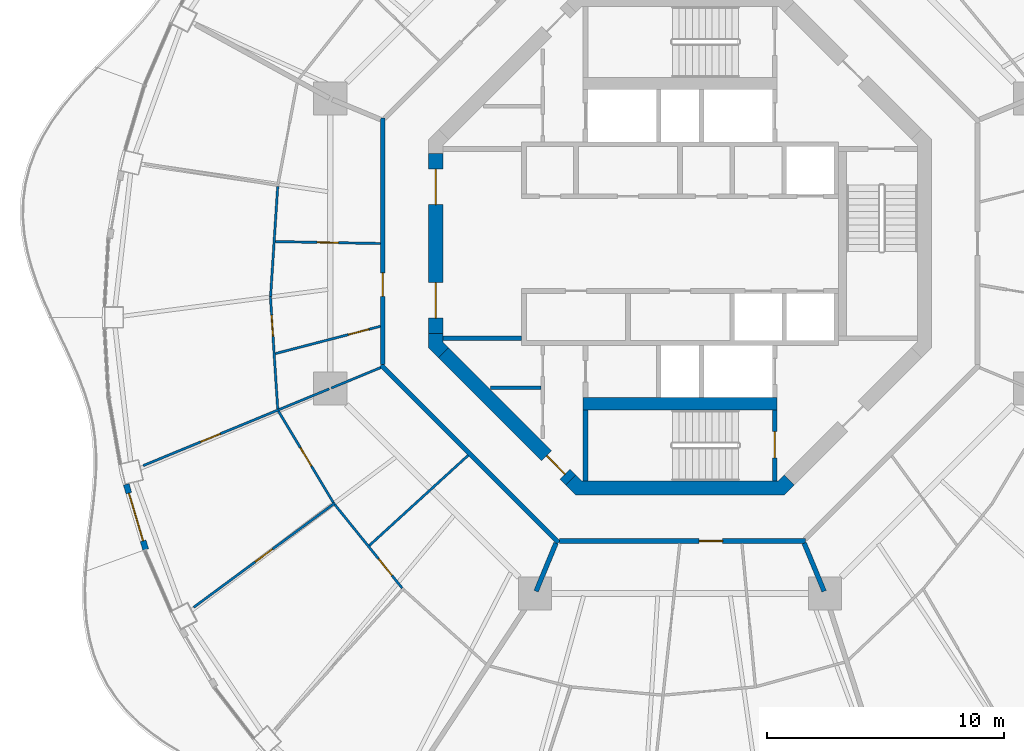
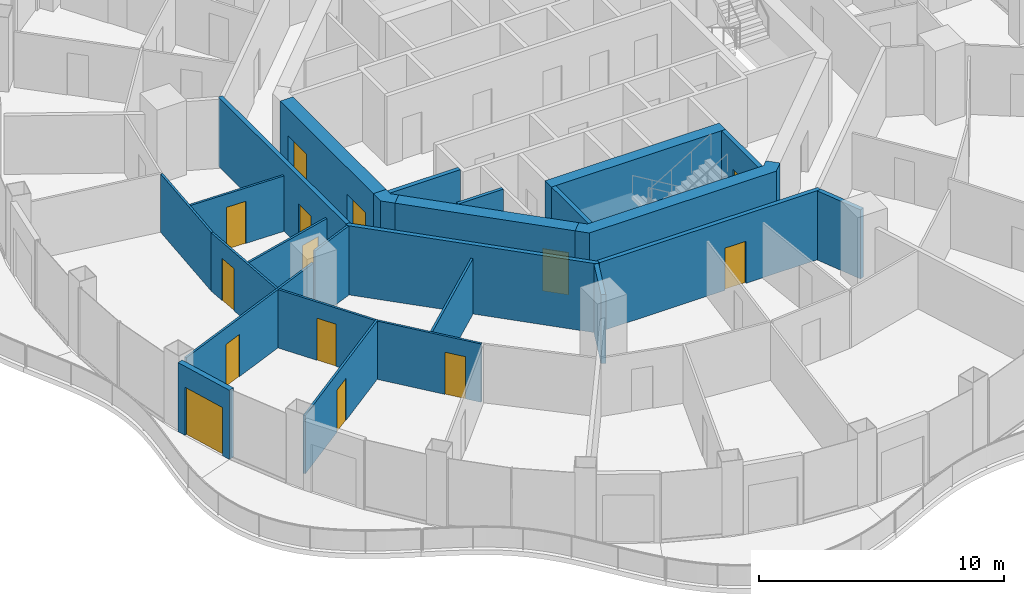
# One storey, part 10 of 17: 25 walls, 14 doors, 14 openings.
"""IFC4 building model written with IfcOpenShell, lengths in metres."""

from ifc_helpers import new_model, si_unit, direction, frame, frame_2d, origin, place, context, subcontext, project, spatial, polyline, rectangle, outline, extrude, material, layer, layer_set, type_object, element, fill, save


model = new_model("IFC4")

# Units and contexts
model_context = context("Model", 3, precision=1e-05, world=origin(), true_north=direction((0.0, 1.0)))
body_context = subcontext(model_context, "Body", "Model", "MODEL_VIEW")
ifc_project = project(units=[si_unit("LENGTHUNIT", "METRE"), si_unit("AREAUNIT", "SQUARE_METRE"), si_unit("VOLUMEUNIT", "CUBIC_METRE"), si_unit("PLANEANGLEUNIT", "RADIAN"), si_unit("MASSUNIT", "GRAM", prefix="KILO")], contexts=[model_context])

# Site, building, storey
site_placement = place(None, origin())
site = spatial("IfcSite", under=ifc_project, at=site_placement, CompositionType="ELEMENT")
building_placement = place(site_placement, origin())
building = spatial("IfcBuilding", under=site, at=building_placement, Name="Nagisa Residences", CompositionType="ELEMENT")
storey_placement = place(building_placement, frame((0.0, 0.0, 269.60009765625)))
storey = spatial("IfcBuildingStorey", under=building, at=storey_placement, Name="L68", CompositionType="ELEMENT", Elevation=269.60009765625)

# Walls
ifc_material_1 = material(Name="Gypsum board on steel studs", Category="steel")
ifc_layer_1 = layer(ifc_material_1, 0.199951171875)
ifc_layer_set_1 = layer_set([ifc_layer_1], Name="Apartment compartment wall EI60 200")
wall_type_1 = type_object("IfcWallType", Name="Apartment compartment wall EI60 200", PredefinedType="PARTITIONING", material=ifc_layer_set_1)
wall_1_placement = place(storey_placement, frame((-5.24267578125, -12.6572265625, 0.0), z_axis=(0.0, 0.0, 1.0), x_axis=(-0.382770106157, -0.923843626288, 0.0)))
element("IfcWall", 1, at=wall_1_placement, inside=storey, type_object=wall_type_1, Name="wall:L68:u06", PredefinedType="PARTITIONING", context=body_context, shape_type="SweptSolid", body=[
    extrude(rectangle(XDim=2.19921875, YDim=0.199951171875, at=frame_2d((1.099609375, 0.0))), origin(), (0.0, 0.0, 1.0), 3.43994140625),
])
wall_2_placement = place(storey_placement, frame((5.24267578125, -12.6572265625, 0.0), z_axis=(0.0, 0.0, 1.0), x_axis=(0.382707856524, -0.923869415315, 0.0)))
element("IfcWall", 2, at=wall_2_placement, inside=storey, type_object=wall_type_1, Name="wall:L68:u08", PredefinedType="PARTITIONING", context=body_context, shape_type="SweptSolid", body=[
    extrude(rectangle(XDim=2.2001953125, YDim=0.199951171875, at=frame_2d((1.10009765625, 0.0))), origin(), (0.0, 0.0, 1.0), 3.43994140625),
])

# Wall, opening, door
ifc_material_2 = material(Name="Gypsum board on steel studs", Category="steel")
ifc_layer_2 = layer(ifc_material_2, 0.199951171875)
ifc_layer_set_2 = layer_set([ifc_layer_2], Name="Apartment entry wall EI60 200")
wall_type_2 = type_object("IfcWallType", Name="Apartment entry wall EI60 200", PredefinedType="PARTITIONING", material=ifc_layer_set_2)
wall_3_placement = place(storey_placement, frame((-12.564697265625, 5.304443359375, 0.0), z_axis=(0.0, 0.0, 1.0), x_axis=(0.0, -1.0, 0.0)))
wall_3 = element("IfcWall", 3, at=wall_3_placement, inside=storey, type_object=wall_type_2, Name="wall:L68:u14", PredefinedType="PARTITIONING", context=body_context, shape_type="SweptSolid", body=[
    extrude(rectangle(XDim=10.408935546875, YDim=0.199951171875, at=frame_2d((5.20458984375, 0.0))), origin(), (0.0, 0.0, 1.0), 3.43994140625),
])
opening_1_placement = place(wall_3_placement, frame((6.539306640625, 0.0, 0.0)))
opening_1 = element("IfcOpeningElement", 4, at=opening_1_placement, cuts=wall_3, Name="Opening L68-U15", PredefinedType="OPENING", context=body_context, shape_type="SweptSolid", body=[
    extrude(rectangle(XDim=1.0, YDim=2.10009765625, at=frame_2d((0.5, 1.050048828125))), frame((0.0, 0.10986328125, 0.0), z_axis=(0.0, -1.0, 0.0), x_axis=(1.0, 0.0, 0.0)), (0.0, 0.0, 1.0), 0.219970703125),
])
ifc_material_3 = material(Name="Timber fire door set", Category="wood")
door_type_1 = type_object("IfcDoorType", Name="Apartment entry door FD30S 1000x2100", OperationType="NOTDEFINED", PredefinedType="DOOR", material=ifc_material_3)
door_1_placement = place(opening_1_placement, frame((1.0, 0.0, 0.0), x_axis=(-1.0, 0.0, 0.0)))
door_1 = element("IfcDoor", 5, at=door_1_placement, inside=storey, type_object=door_type_1, Name="Entry door, Apartment 68C", OperationType="SINGLE_SWING_RIGHT", OverallHeight=2.10009765625, OverallWidth=1.0, PredefinedType="DOOR", context=body_context, shape_type="SweptSolid", body=[
    extrude(rectangle(XDim=1.0, YDim=2.10009765625, at=frame_2d((0.5, 1.050048828125))), frame((0.0, 0.02490234375, 0.0), z_axis=(0.0, -1.0, 0.0), x_axis=(1.0, 0.0, 0.0)), (0.0, 0.0, 1.0), 0.050048828125),
])
fill(opening_1, door_1)

# Wall
wall_4_placement = place(storey_placement, frame((-12.635498046875, -5.1337890625, 0.0), z_axis=(0.0, 0.0, 1.0), x_axis=(0.707106781187, -0.707106781187, 0.0)))
element("IfcWall", 6, at=wall_4_placement, inside=storey, type_object=wall_type_2, Name="wall:L68:u15", PredefinedType="PARTITIONING", context=body_context, shape_type="SweptSolid", body=[
    extrude(rectangle(XDim=10.609130859375, YDim=0.199951171875, at=frame_2d((5.3046875, 0.0))), origin(), (0.0, 0.0, 1.0), 3.43994140625),
])

# Wall, opening, door
wall_5_placement = place(storey_placement, frame((-5.1044921875, -12.564697265625, 0.0), z_axis=(0.0, 0.0, 1.0), x_axis=(1.0, 0.0, 0.0)))
wall_5 = element("IfcWall", 7, at=wall_5_placement, inside=storey, type_object=wall_type_2, Name="wall:L68:u16", PredefinedType="PARTITIONING", context=body_context, shape_type="SweptSolid", body=[
    extrude(rectangle(XDim=10.408935546875, YDim=0.199951171875, at=frame_2d((5.20458984375, 0.0))), origin(), (0.0, 0.0, 1.0), 3.43994140625),
])
opening_2_placement = place(wall_5_placement, frame((5.905517578125, 0.0, 0.0)))
opening_2 = element("IfcOpeningElement", 8, at=opening_2_placement, cuts=wall_5, Name="Opening L68-U25", PredefinedType="OPENING", context=body_context, shape_type="SweptSolid", body=[
    extrude(rectangle(XDim=1.0, YDim=2.10009765625, at=frame_2d((0.5, 1.050048828125))), frame((0.0, 0.10986328125, 0.0), z_axis=(0.0, -1.0, 0.0), x_axis=(1.0, 0.0, 0.0)), (0.0, 0.0, 1.0), 0.219970703125),
])
door_2_placement = place(opening_2_placement, frame((1.0, 0.0, 0.0), x_axis=(-1.0, 0.0, 0.0)))
door_2 = element("IfcDoor", 9, at=door_2_placement, inside=storey, type_object=door_type_1, Name="Entry door, Apartment 68D", OperationType="SINGLE_SWING_RIGHT", OverallHeight=2.10009765625, OverallWidth=1.0, PredefinedType="DOOR", context=body_context, shape_type="SweptSolid", body=[
    extrude(rectangle(XDim=1.0, YDim=2.10009765625, at=frame_2d((0.5, 1.050048828125))), frame((0.0, 0.02490234375, 0.0), z_axis=(0.0, -1.0, 0.0), x_axis=(1.0, 0.0, 0.0)), (0.0, 0.0, 1.0), 0.050048828125),
])
fill(opening_2, door_2)

# Wall
ifc_material_4 = material(Name="Gypsum board on steel studs", Category="steel")
ifc_layer_3 = layer(ifc_material_4, 0.10009765625)
ifc_layer_set_3 = layer_set([ifc_layer_3], Name="Apartment partition 100")
wall_type_3 = type_object("IfcWallType", Name="Apartment partition 100", PredefinedType="PARTITIONING", material=ifc_layer_set_3)
wall_6_placement = place(storey_placement, frame((-17.001708984375, 2.40869140625, 0.0), z_axis=(0.0, 0.0, 1.0), x_axis=(-0.064855550758, -0.997894662545, 0.0)))
element("IfcWall", 10, at=wall_6_placement, inside=storey, type_object=wall_type_3, Name="wall:L68:u41", PredefinedType="PARTITIONING", context=body_context, shape_type="SweptSolid", body=[
    extrude(rectangle(XDim=4.656494140625, YDim=0.10009765625, at=frame_2d((2.328125, 0.0))), origin(), (0.0, 0.0, 1.0), 2.90478515625),
])

# Wall, opening, door
wall_7_placement = place(storey_placement, frame((-12.664794921875, 0.001953125, 0.0), z_axis=(0.0, 0.0, 1.0), x_axis=(-0.999827178165, 0.018590691287, 0.0)))
wall_7 = element("IfcWall", 11, at=wall_7_placement, inside=storey, type_object=wall_type_3, Name="wall:L68:u42", PredefinedType="PARTITIONING", context=body_context, shape_type="SweptSolid", body=[
    extrude(rectangle(XDim=4.438720703125, YDim=0.10009765625, at=frame_2d((2.21923828125, 0.0))), origin(), (0.0, 0.0, 1.0), 2.761962890625),
])
opening_3_placement = place(wall_7_placement, frame((1.769287109375, 0.0, 0.0)))
opening_3 = element("IfcOpeningElement", 12, at=opening_3_placement, cuts=wall_7, Name="Opening L68-U16", PredefinedType="OPENING", context=body_context, shape_type="SweptSolid", body=[
    extrude(rectangle(XDim=0.89990234375, YDim=2.10009765625, at=frame_2d((0.449951171875, 1.050048828125))), frame((0.0, 0.06005859375, 0.0), z_axis=(0.0, -1.0, 0.0), x_axis=(1.0, 0.0, 0.0)), (0.0, 0.0, 1.0), 0.1201171875),
])
ifc_material_5 = material(Name="Timber door set", Category="wood")
door_type_2 = type_object("IfcDoorType", Name="Apartment door 900x2100", OperationType="NOTDEFINED", PredefinedType="DOOR", material=ifc_material_5)
door_3_placement = place(opening_3_placement, frame((0.89990234375, 0.0, 0.0), x_axis=(-1.0, 0.0, 0.0)))
door_3 = element("IfcDoor", 13, at=door_3_placement, inside=storey, type_object=door_type_2, Name="Door to store, Apartment 68C", OperationType="SINGLE_SWING_LEFT", OverallHeight=2.10009765625, OverallWidth=0.89990234375, PredefinedType="DOOR", context=body_context, shape_type="SweptSolid", body=[
    extrude(rectangle(XDim=0.89990234375, YDim=2.10009765625, at=frame_2d((0.449951171875, 1.050048828125))), frame((0.0, 0.02490234375, 0.0), z_axis=(0.0, -1.0, 0.0), x_axis=(1.0, 0.0, 0.0)), (0.0, 0.0, 1.0), 0.050048828125),
])
fill(opening_3, door_3)

wall_8_placement = place(storey_placement, frame((-17.31005859375, -2.238037109375, 0.0), z_axis=(0.0, 0.0, 1.0), x_axis=(0.064949202176, -0.997888571503, 0.0)))
wall_8 = element("IfcWall", 14, at=wall_8_placement, inside=storey, type_object=wall_type_3, Name="wall:L68:u43", PredefinedType="PARTITIONING", context=body_context, shape_type="SweptSolid", body=[
    extrude(rectangle(XDim=4.7587890625, YDim=0.10009765625, at=frame_2d((2.37939453125, 0.0))), origin(), (0.0, 0.0, 1.0), 2.90478515625),
])
opening_4_placement = place(wall_8_placement, frame((0.789794921875, 0.0, 0.0)))
opening_4 = element("IfcOpeningElement", 15, at=opening_4_placement, cuts=wall_8, Name="Opening L68-U19", PredefinedType="OPENING", context=body_context, shape_type="SweptSolid", body=[
    extrude(rectangle(XDim=0.89990234375, YDim=2.10009765625, at=frame_2d((0.449951171875, 1.050048828125))), frame((0.0, 0.06005859375, 0.0), z_axis=(0.0, -1.0, 0.0), x_axis=(1.0, 0.0, 0.0)), (0.0, 0.0, 1.0), 0.1201171875),
])
door_4_placement = place(opening_4_placement, frame((0.89990234375, 0.0, 0.0), x_axis=(-1.0, 0.0, 0.0)))
door_4 = element("IfcDoor", 16, at=door_4_placement, inside=storey, type_object=door_type_2, Name="Door to living room, Apartment 68C", OperationType="SINGLE_SWING_RIGHT", OverallHeight=2.10009765625, OverallWidth=0.89990234375, PredefinedType="DOOR", context=body_context, shape_type="SweptSolid", body=[
    extrude(rectangle(XDim=0.89990234375, YDim=2.10009765625, at=frame_2d((0.449951171875, 1.050048828125))), frame((0.0, 0.02490234375, 0.0), z_axis=(0.0, -1.0, 0.0), x_axis=(1.0, 0.0, 0.0)), (0.0, 0.0, 1.0), 0.050048828125),
])
fill(opening_4, door_4)

wall_9_placement = place(storey_placement, frame((-12.66162109375, -3.494873046875, 0.0), z_axis=(0.0, 0.0, 1.0), x_axis=(-0.967834941053, -0.251586022817, 0.0)))
wall_9 = element("IfcWall", 17, at=wall_9_placement, inside=storey, type_object=wall_type_3, Name="wall:L68:u44", PredefinedType="PARTITIONING", context=body_context, shape_type="SweptSolid", body=[
    extrude(rectangle(XDim=4.590087890625, YDim=0.10009765625, at=frame_2d((2.294921875, 0.0))), origin(), (0.0, 0.0, 1.0), 2.761962890625),
])
opening_5_placement = place(wall_9_placement, frame((0.49951171875, 0.0, 0.0)))
opening_5 = element("IfcOpeningElement", 18, at=opening_5_placement, cuts=wall_9, Name="Opening L68-U17", PredefinedType="OPENING", context=body_context, shape_type="SweptSolid", body=[
    extrude(rectangle(XDim=0.89990234375, YDim=2.10009765625, at=frame_2d((0.449951171875, 1.050048828125))), frame((0.0, 0.06005859375, 0.0), z_axis=(0.0, -1.0, 0.0), x_axis=(1.0, 0.0, 0.0)), (0.0, 0.0, 1.0), 0.1201171875),
])
door_5_placement = place(opening_5_placement, origin())
door_5 = element("IfcDoor", 19, at=door_5_placement, inside=storey, type_object=door_type_2, Name="Door to family bathroom, Apartment 68C", OperationType="SINGLE_SWING_LEFT", OverallHeight=2.10009765625, OverallWidth=0.89990234375, PredefinedType="DOOR", context=body_context, shape_type="SweptSolid", body=[
    extrude(rectangle(XDim=0.89990234375, YDim=2.10009765625, at=frame_2d((0.449951171875, 1.050048828125))), frame((0.0, 0.02490234375, 0.0), z_axis=(0.0, -1.0, 0.0), x_axis=(1.0, 0.0, 0.0)), (0.0, 0.0, 1.0), 0.050048828125),
])
fill(opening_5, door_5)

# Wall
wall_10_placement = place(storey_placement, frame((-12.6572265625, -5.24267578125, 0.0), z_axis=(0.0, 0.0, 1.0), x_axis=(-0.923871314276, -0.382703272338, 0.0)))
element("IfcWall", 20, at=wall_10_placement, inside=storey, type_object=wall_type_3, Name="wall:L68:u45", PredefinedType="PARTITIONING", context=body_context, shape_type="SweptSolid", body=[
    extrude(rectangle(XDim=2.249267578125, YDim=0.10009765625, at=frame_2d((1.12451171875, 0.0))), origin(), (0.0, 0.0, 1.0), 3.43994140625),
])

# Wall, opening, door
wall_11_placement = place(storey_placement, frame((-14.828369140625, -6.14208984375, 0.0), z_axis=(0.0, 0.0, 1.0), x_axis=(-0.924478087429, -0.381235184451, 0.0)))
wall_11 = element("IfcWall", 21, at=wall_11_placement, inside=storey, type_object=wall_type_3, Name="wall:L68:u46", PredefinedType="PARTITIONING", context=body_context, shape_type="SweptSolid", body=[
    extrude(rectangle(XDim=8.499267578125, YDim=0.10009765625, at=frame_2d((4.24951171875, 0.0))), origin(), (0.0, 0.0, 1.0), 2.90478515625),
])
opening_6_placement = place(wall_11_placement, frame((4.97314453125, 0.0, 0.0)))
opening_6 = element("IfcOpeningElement", 22, at=opening_6_placement, cuts=wall_11, Name="Opening L68-U20", PredefinedType="OPENING", context=body_context, shape_type="SweptSolid", body=[
    extrude(rectangle(XDim=0.89990234375, YDim=2.10009765625, at=frame_2d((0.449951171875, 1.050048828125))), frame((0.0, 0.06005859375, 0.0), z_axis=(0.0, -1.0, 0.0), x_axis=(1.0, 0.0, 0.0)), (0.0, 0.0, 1.0), 0.1201171875),
])
door_6_placement = place(opening_6_placement, origin())
door_6 = element("IfcDoor", 23, at=door_6_placement, inside=storey, type_object=door_type_2, Name="Door to kitchen, Apartment 68C", OperationType="SINGLE_SWING_RIGHT", OverallHeight=2.10009765625, OverallWidth=0.89990234375, PredefinedType="DOOR", context=body_context, shape_type="SweptSolid", body=[
    extrude(rectangle(XDim=0.89990234375, YDim=2.10009765625, at=frame_2d((0.449951171875, 1.050048828125))), frame((0.0, 0.02490234375, 0.0), z_axis=(0.0, -1.0, 0.0), x_axis=(1.0, 0.0, 0.0)), (0.0, 0.0, 1.0), 0.050048828125),
])
fill(opening_6, door_6)

wall_12_placement = place(storey_placement, frame((-16.971923828125, -7.07958984375, 0.0), z_axis=(0.0, 0.0, 1.0), x_axis=(0.514989049311, -0.857196756346, 0.0)))
wall_12 = element("IfcWall", 24, at=wall_12_placement, inside=storey, type_object=wall_type_3, Name="wall:L68:u47", PredefinedType="PARTITIONING", context=body_context, shape_type="SweptSolid", body=[
    extrude(rectangle(XDim=4.51171875, YDim=0.10009765625, at=frame_2d((2.255859375, 0.0))), origin(), (0.0, 0.0, 1.0), 2.90478515625),
])
opening_7_placement = place(wall_12_placement, frame((1.805908203125, 0.0, 0.0)))
opening_7 = element("IfcOpeningElement", 25, at=opening_7_placement, cuts=wall_12, Name="Opening L68-U23", PredefinedType="OPENING", context=body_context, shape_type="SweptSolid", body=[
    extrude(rectangle(XDim=0.89990234375, YDim=2.10009765625, at=frame_2d((0.449951171875, 1.050048828125))), frame((0.0, 0.06005859375, 0.0), z_axis=(0.0, -1.0, 0.0), x_axis=(1.0, 0.0, 0.0)), (0.0, 0.0, 1.0), 0.1201171875),
])
door_7_placement = place(opening_7_placement, origin())
door_7 = element("IfcDoor", 26, at=door_7_placement, inside=storey, type_object=door_type_2, Name="Door to store, Apartment 68C", OperationType="SINGLE_SWING_LEFT", OverallHeight=2.10009765625, OverallWidth=0.89990234375, PredefinedType="DOOR", context=body_context, shape_type="SweptSolid", body=[
    extrude(rectangle(XDim=0.89990234375, YDim=2.10009765625, at=frame_2d((0.449951171875, 1.050048828125))), frame((0.0, 0.02490234375, 0.0), z_axis=(0.0, -1.0, 0.0), x_axis=(1.0, 0.0, 0.0)), (0.0, 0.0, 1.0), 0.050048828125),
])
fill(opening_7, door_7)

wall_13_placement = place(storey_placement, frame((-14.582275390625, -10.960205078125, 0.0), z_axis=(0.0, 0.0, 1.0), x_axis=(-0.804405200554, -0.594081032623, 0.0)))
wall_13 = element("IfcWall", 27, at=wall_13_placement, inside=storey, type_object=wall_type_3, Name="wall:L68:u48", PredefinedType="PARTITIONING", context=body_context, shape_type="SweptSolid", body=[
    extrude(rectangle(XDim=7.41845703125, YDim=0.10009765625, at=frame_2d((3.709228515625, 0.0))), origin(), (0.0, 0.0, 1.0), 2.90478515625),
])
opening_8_placement = place(wall_13_placement, frame((3.2841796875, 0.0, 0.0)))
opening_8 = element("IfcOpeningElement", 28, at=opening_8_placement, cuts=wall_13, Name="Opening L68-U21", PredefinedType="OPENING", context=body_context, shape_type="SweptSolid", body=[
    extrude(rectangle(XDim=0.89990234375, YDim=2.10009765625, at=frame_2d((0.449951171875, 1.050048828125))), frame((0.0, 0.06005859375, 0.0), z_axis=(0.0, -1.0, 0.0), x_axis=(1.0, 0.0, 0.0)), (0.0, 0.0, 1.0), 0.1201171875),
])
door_8_placement = place(opening_8_placement, origin())
door_8 = element("IfcDoor", 29, at=door_8_placement, inside=storey, type_object=door_type_2, Name="Door to family room, Apartment 68C", OperationType="SINGLE_SWING_LEFT", OverallHeight=2.10009765625, OverallWidth=0.89990234375, PredefinedType="DOOR", context=body_context, shape_type="SweptSolid", body=[
    extrude(rectangle(XDim=0.89990234375, YDim=2.10009765625, at=frame_2d((0.449951171875, 1.050048828125))), frame((0.0, 0.02490234375, 0.0), z_axis=(0.0, -1.0, 0.0), x_axis=(1.0, 0.0, 0.0)), (0.0, 0.0, 1.0), 0.050048828125),
])
fill(opening_8, door_8)

wall_14_placement = place(storey_placement, frame((-14.59130859375, -11.02880859375, 0.0), z_axis=(0.0, 0.0, 1.0), x_axis=(0.628170338674, -0.778075848237, 0.0)))
wall_14 = element("IfcWall", 30, at=wall_14_placement, inside=storey, type_object=wall_type_3, Name="wall:L68:u49", PredefinedType="PARTITIONING", context=body_context, shape_type="SweptSolid", body=[
    extrude(rectangle(XDim=4.532470703125, YDim=0.10009765625, at=frame_2d((2.26611328125, 0.0))), origin(), (0.0, 0.0, 1.0), 2.90478515625),
])
opening_9_placement = place(wall_14_placement, frame((2.94921875, 0.0, 0.0)))
opening_9 = element("IfcOpeningElement", 31, at=opening_9_placement, cuts=wall_14, Name="Opening L68-U24", PredefinedType="OPENING", context=body_context, shape_type="SweptSolid", body=[
    extrude(rectangle(XDim=0.89990234375, YDim=2.10009765625, at=frame_2d((0.449951171875, 1.050048828125))), frame((0.0, 0.06005859375, 0.0), z_axis=(0.0, -1.0, 0.0), x_axis=(1.0, 0.0, 0.0)), (0.0, 0.0, 1.0), 0.1201171875),
])
door_9_placement = place(opening_9_placement, origin())
door_9 = element("IfcDoor", 32, at=door_9_placement, inside=storey, type_object=door_type_2, Name="Door to laundry, Apartment 68C", OperationType="SINGLE_SWING_RIGHT", OverallHeight=2.10009765625, OverallWidth=0.89990234375, PredefinedType="DOOR", context=body_context, shape_type="SweptSolid", body=[
    extrude(rectangle(XDim=0.89990234375, YDim=2.10009765625, at=frame_2d((0.449951171875, 1.050048828125))), frame((0.0, 0.02490234375, 0.0), z_axis=(0.0, -1.0, 0.0), x_axis=(1.0, 0.0, 0.0)), (0.0, 0.0, 1.0), 0.050048828125),
])
fill(opening_9, door_9)

# Wall
wall_15_placement = place(storey_placement, frame((-8.95849609375, -8.9521484375, 0.0), z_axis=(0.0, 0.0, 1.0), x_axis=(-0.73876526954, -0.673962815385, 0.0)))
element("IfcWall", 33, at=wall_15_placement, inside=storey, type_object=wall_type_3, Name="wall:L68:u50", PredefinedType="PARTITIONING", context=body_context, shape_type="SweptSolid", body=[
    extrude(rectangle(XDim=5.6474609375, YDim=0.10009765625, at=frame_2d((2.82373046875, 0.0))), origin(), (0.0, 0.0, 1.0), 2.761962890625),
])

# Wall, opening, door
ifc_material_6 = material(Name="Precast concrete C40/50", Category="concrete")
ifc_layer_4 = layer(ifc_material_6, 0.25)
ifc_layer_set_4 = layer_set([ifc_layer_4], Name="BALCONY DOOR WALL 250")
wall_type_4 = type_object("IfcWallType", Name="BALCONY DOOR WALL 250", PredefinedType="SOLIDWALL", material=ifc_layer_set_4)
wall_16_placement = place(storey_placement, frame((-22.578369140625, -12.93212890625, 0.0), z_axis=(0.0, 0.0, 1.0), x_axis=(-0.285899456462, 0.958259620768, 0.0)))
wall_16 = element("IfcWall", 34, at=wall_16_placement, inside=storey, type_object=wall_type_4, Name="wall:L68:bay26", PredefinedType="SOLIDWALL", context=body_context, shape_type="SweptSolid", body=[
    extrude(rectangle(XDim=2.876953125, YDim=0.25, at=frame_2d((1.4384765625, 0.0))), origin(), (0.0, 0.0, 1.0), 3.43994140625),
])
opening_10_placement = place(wall_16_placement, frame((0.388671875, 0.0, 0.0)))
opening_10 = element("IfcOpeningElement", 35, at=opening_10_placement, cuts=wall_16, Name="Opening BD-L68-09", PredefinedType="OPENING", context=body_context, shape_type="SweptSolid", body=[
    extrude(rectangle(XDim=2.10009765625, YDim=2.39990234375, at=frame_2d((1.050048828125, 1.199951171875))), frame((0.0, 0.135009765625, 0.0), z_axis=(0.0, -1.0, 0.0), x_axis=(1.0, 0.0, 0.0)), (0.0, 0.0, 1.0), 0.27001953125),
])
ifc_material_7 = material(Name="Aluminium and clear glass", Category="aluminium")
door_type_3 = type_object("IfcDoorType", Name="BALCONY SLIDING DOOR 2100x2400", OperationType="SLIDING_TO_LEFT", PredefinedType="DOOR", material=ifc_material_7)
door_10_placement = place(opening_10_placement, origin())
door_10 = element("IfcDoor", 36, at=door_10_placement, inside=storey, type_object=door_type_3, Name="door:L68:bay26", OperationType="SLIDING_TO_LEFT", OverallHeight=2.39990234375, OverallWidth=2.10009765625, PredefinedType="DOOR", context=body_context, shape_type="SweptSolid", body=[
    extrude(rectangle(XDim=2.10009765625, YDim=2.39990234375, at=frame_2d((1.050048828125, 1.199951171875))), frame((0.0, 0.02490234375, 0.0), z_axis=(0.0, -1.0, 0.0), x_axis=(1.0, 0.0, 0.0)), (0.0, 0.0, 1.0), 0.050048828125),
])
fill(opening_10, door_10)

# Walls
ifc_material_8 = material(Name="Gypsum board on steel studs", Category="steel")
ifc_layer_5 = layer(ifc_material_8, 0.14990234375)
ifc_layer_set_5 = layer_set([ifc_layer_5], Name="Core partition 150")
wall_type_5 = type_object("IfcWallType", Name="Core partition 150", PredefinedType="PARTITIONING", material=ifc_layer_set_5)
wall_17_placement = place(storey_placement, frame((-8.0009765625, -6.10009765625, 0.0), z_axis=(0.0, 0.0, 1.0), x_axis=(1.0, 0.0, 0.0)))
element("IfcWall", 37, at=wall_17_placement, inside=storey, type_object=wall_type_5, Name="wall:L68:SWq", PredefinedType="PARTITIONING", context=body_context, shape_type="SweptSolid", body=[
    extrude(rectangle(XDim=2.1259765625, YDim=0.14990234375, at=frame_2d((1.06298828125, 0.0))), origin(), (0.0, 0.0, 1.0), 3.43994140625),
])
ifc_material_9 = material(Name="Gypsum board on steel studs", Category="steel")
ifc_layer_6 = layer(ifc_material_9, 0.199951171875)
ifc_layer_set_6 = layer_set([ifc_layer_6], Name="Core partition 200")
wall_type_6 = type_object("IfcWallType", Name="Core partition 200", PredefinedType="PARTITIONING", material=ifc_layer_set_6)
wall_18_placement = place(storey_placement, frame((-10.024658203125, -4.0, 0.0), z_axis=(0.0, 0.0, 1.0), x_axis=(1.0, 0.0, 0.0)))
element("IfcWall", 38, at=wall_18_placement, inside=storey, type_object=wall_type_6, Name="wall:L68:PSW", PredefinedType="PARTITIONING", context=body_context, shape_type="SweptSolid", body=[
    extrude(rectangle(XDim=3.32470703125, YDim=0.199951171875, at=frame_2d((1.662353515625, 0.0))), origin(), (0.0, 0.0, 1.0), 3.43994140625),
])

# Wall, openings, doors
ifc_material_10 = material(Name="Concrete C60", Category="concrete")
ifc_layer_7 = layer(ifc_material_10, 0.60009765625)
ifc_layer_set_7 = layer_set([ifc_layer_7], Name="Core shear wall 600")
wall_type_7 = type_object("IfcWallType", Name="Core shear wall 600", PredefinedType="SHEAR", material=ifc_layer_set_7)
wall_19_placement = place(storey_placement, frame((-10.32470703125, 3.80078125, 0.0), z_axis=(0.0, 0.0, 1.0), x_axis=(0.0, -1.0, 0.0)))
wall_19 = element("IfcWall", 39, at=wall_19_placement, inside=storey, type_object=wall_type_7, Name="wall:L68:core:flat4", PredefinedType="SHEAR", context=body_context, shape_type="SweptSolid", body=[
    extrude(rectangle(XDim=7.6015625, YDim=0.60009765625, at=frame_2d((3.80078125, 0.0))), origin(), (0.0, 0.0, 1.0), 3.43994140625),
])
opening_11_placement = place(wall_19_placement, frame((0.65087890625, 0.0, 0.0)))
opening_11 = element("IfcOpeningElement", 40, at=opening_11_placement, cuts=wall_19, Name="Opening L68-C23", PredefinedType="OPENING", context=body_context, shape_type="SweptSolid", body=[
    extrude(rectangle(XDim=1.5, YDim=2.10009765625, at=frame_2d((0.75, 1.050048828125))), frame((0.0, 0.31005859375, 0.0), z_axis=(0.0, -1.0, 0.0), x_axis=(1.0, 0.0, 0.0)), (0.0, 0.0, 1.0), 0.6201171875),
])
opening_12_placement = place(wall_19_placement, frame((5.450927734375, 0.0, 0.0)))
opening_12 = element("IfcOpeningElement", 41, at=opening_12_placement, cuts=wall_19, Name="Opening L68-C24", PredefinedType="OPENING", context=body_context, shape_type="SweptSolid", body=[
    extrude(rectangle(XDim=1.5, YDim=2.10009765625, at=frame_2d((0.75, 1.050048828125))), frame((0.0, 0.31005859375, 0.0), z_axis=(0.0, -1.0, 0.0), x_axis=(1.0, 0.0, 0.0)), (0.0, 0.0, 1.0), 0.6201171875),
])
ifc_material_11 = material(Name="Steel fire door", Category="steel")
door_type_4 = type_object("IfcDoorType", Name="Fire door EI60 1500x2100 double door single swing", OperationType="DOUBLE_DOOR_SINGLE_SWING", PredefinedType="DOOR", material=ifc_material_11)
door_11_placement = place(opening_11_placement, origin())
door_11 = element("IfcDoor", 42, at=door_11_placement, inside=storey, type_object=door_type_4, Name="Lift lobby door L68 1", OperationType="DOUBLE_DOOR_SINGLE_SWING", OverallHeight=2.10009765625, OverallWidth=1.5, PredefinedType="DOOR", context=body_context, shape_type="SweptSolid", body=[
    extrude(rectangle(XDim=1.5, YDim=2.10009765625, at=frame_2d((0.75, 1.050048828125))), frame((0.0, 0.02490234375, 0.0), z_axis=(0.0, -1.0, 0.0), x_axis=(1.0, 0.0, 0.0)), (0.0, 0.0, 1.0), 0.050048828125),
])
fill(opening_11, door_11)
door_12_placement = place(opening_12_placement, origin())
door_12 = element("IfcDoor", 43, at=door_12_placement, inside=storey, type_object=door_type_4, Name="Lift lobby door L68 2", OperationType="DOUBLE_DOOR_SINGLE_SWING", OverallHeight=2.10009765625, OverallWidth=1.5, PredefinedType="DOOR", context=body_context, shape_type="SweptSolid", body=[
    extrude(rectangle(XDim=1.5, YDim=2.10009765625, at=frame_2d((0.75, 1.050048828125))), frame((0.0, 0.02490234375, 0.0), z_axis=(0.0, -1.0, 0.0), x_axis=(1.0, 0.0, 0.0)), (0.0, 0.0, 1.0), 0.050048828125),
])
fill(opening_12, door_12)

# Wall, opening, door
wall_20_placement = place(storey_placement, frame((-9.98828125, -4.613037109375, 0.0), z_axis=(0.0, 0.0, 1.0), x_axis=(0.707106781187, -0.707106781187, 0.0)))
wall_20 = element("IfcWall", 44, at=wall_20_placement, inside=storey, type_object=wall_type_7, Name="wall:L68:core:flat5", PredefinedType="SHEAR", context=body_context, shape_type="SweptSolid", body=[
    extrude(rectangle(XDim=7.601806640625, YDim=0.60009765625, at=frame_2d((3.80078125, 0.0))), origin(), (0.0, 0.0, 1.0), 3.43994140625),
])
opening_13_placement = place(wall_20_placement, frame((6.15087890625, 0.0, 0.0)))
opening_13 = element("IfcOpeningElement", 45, at=opening_13_placement, cuts=wall_20, Name="Opening L68-C26", PredefinedType="OPENING", context=body_context, shape_type="SweptSolid", body=[
    extrude(rectangle(XDim=1.10009765625, YDim=2.10009765625, at=frame_2d((0.550048828125, 1.050048828125))), frame((0.0, 0.31005859375, 0.0), z_axis=(0.0, -1.0, 0.0), x_axis=(1.0, 0.0, 0.0)), (0.0, 0.0, 1.0), 0.6201171875),
])
ifc_material_12 = material(Name="Steel fire door", Category="steel")
door_type_5 = type_object("IfcDoorType", Name="Fire door EI60 1100x2100 single swing", OperationType="NOTDEFINED", PredefinedType="DOOR", material=ifc_material_12)
door_13_placement = place(opening_13_placement, origin())
door_13 = element("IfcDoor", 46, at=door_13_placement, inside=storey, type_object=door_type_5, Name="Housekeeping lobby door L68", OperationType="SINGLE_SWING_RIGHT", OverallHeight=2.10009765625, OverallWidth=1.10009765625, PredefinedType="DOOR", context=body_context, shape_type="SweptSolid", body=[
    extrude(rectangle(XDim=1.10009765625, YDim=2.10009765625, at=frame_2d((0.550048828125, 1.050048828125))), frame((0.0, 0.02490234375, 0.0), z_axis=(0.0, -1.0, 0.0), x_axis=(1.0, 0.0, 0.0)), (0.0, 0.0, 1.0), 0.050048828125),
])
fill(opening_13, door_13)

# Walls
wall_21_placement = place(storey_placement, origin())
element("IfcWall", 47, at=wall_21_placement, inside=storey, type_object=wall_type_7, Name="wall:L68:core:pier4", PredefinedType="SHEAR", context=body_context, shape_type="SweptSolid", body=[
    extrude(outline(polyline([(-10.62451171875, -3.80078125), (-10.024658203125, -3.80078125), (-10.024658203125, -4.15234375), (-9.776123046875, -4.40087890625), (-10.200439453125, -4.8251953125), (-10.62451171875, -4.40087890625), (-10.62451171875, -3.80078125)])), origin(), (0.0, 0.0, 1.0), 3.43994140625),
])
wall_22_placement = place(storey_placement, origin())
element("IfcWall", 48, at=wall_22_placement, inside=storey, type_object=wall_type_7, Name="wall:L68:core:flat6", PredefinedType="SHEAR", context=body_context, shape_type="SweptSolid", body=[
    extrude(outline(polyline([(-4.15234375, -10.024658203125), (4.15234375, -10.024658203125), (4.40087890625, -9.776123046875), (4.8251953125, -10.200439453125), (4.40087890625, -10.62451171875), (-4.40087890625, -10.62451171875), (-4.8251953125, -10.200439453125), (-4.40087890625, -9.776123046875), (-4.15234375, -10.024658203125)])), origin(), (0.0, 0.0, 1.0), 3.43994140625),
])

# Wall, opening, door
ifc_material_13 = material(Name="Concrete C60", Category="concrete")
ifc_layer_8 = layer(ifc_material_13, 0.199951171875)
ifc_layer_set_8 = layer_set([ifc_layer_8], Name="Stair enclosure wall 200")
wall_type_8 = type_object("IfcWallType", Name="Stair enclosure wall 200", PredefinedType="SOLIDWALL", material=ifc_layer_set_8)
wall_23_placement = place(storey_placement, frame((4.0, -10.024658203125, 0.0), z_axis=(0.0, 0.0, 1.0), x_axis=(0.0, 1.0, 0.0)))
wall_23 = element("IfcWall", 49, at=wall_23_placement, inside=storey, type_object=wall_type_8, Name="wall:L68:SS_e", PredefinedType="SOLIDWALL", context=body_context, shape_type="SweptSolid", body=[
    extrude(rectangle(XDim=3.0, YDim=0.199951171875, at=frame_2d((1.5, 0.0))), origin(), (0.0, 0.0, 1.0), 3.43994140625),
])
opening_14_placement = place(wall_23_placement, frame((0.974609375, 0.0, 0.0)))
opening_14 = element("IfcOpeningElement", 50, at=opening_14_placement, cuts=wall_23, Name="Opening L68-C09", PredefinedType="OPENING", context=body_context, shape_type="SweptSolid", body=[
    extrude(rectangle(XDim=1.10009765625, YDim=2.10009765625, at=frame_2d((0.550048828125, 1.050048828125))), frame((0.0, 0.10986328125, 0.0), z_axis=(0.0, -1.0, 0.0), x_axis=(1.0, 0.0, 0.0)), (0.0, 0.0, 1.0), 0.219970703125),
])
ifc_material_14 = material(Name="Steel fire door", Category="steel")
door_type_6 = type_object("IfcDoorType", Name="Fire door EI90 1100x2100 single swing", OperationType="NOTDEFINED", PredefinedType="DOOR", material=ifc_material_14)
door_14_placement = place(opening_14_placement, origin())
door_14 = element("IfcDoor", 51, at=door_14_placement, inside=storey, type_object=door_type_6, Name="Stair door ST-S L68", OperationType="SINGLE_SWING_LEFT", OverallHeight=2.10009765625, OverallWidth=1.10009765625, PredefinedType="DOOR", context=body_context, shape_type="SweptSolid", body=[
    extrude(rectangle(XDim=1.10009765625, YDim=2.10009765625, at=frame_2d((0.550048828125, 1.050048828125))), frame((0.0, 0.02490234375, 0.0), z_axis=(0.0, -1.0, 0.0), x_axis=(1.0, 0.0, 0.0)), (0.0, 0.0, 1.0), 0.050048828125),
])
fill(opening_14, door_14)

# Walls
wall_24_placement = place(storey_placement, origin())
element("IfcWall", 52, at=wall_24_placement, inside=storey, type_object=wall_type_8, Name="wall:L68:SS_w", PredefinedType="SOLIDWALL", context=body_context, shape_type="SweptSolid", body=[
    extrude(outline(polyline([(-3.89990234375, -10.024658203125), (-4.10009765625, -10.024658203125), (-4.10009765625, -7.024658203125), (-3.89990234375, -7.024658203125), (-3.89990234375, -10.024658203125)])), origin(), (0.0, 0.0, 1.0), 3.43994140625),
])
wall_25_placement = place(storey_placement, origin())
element("IfcWall", 53, at=wall_25_placement, inside=storey, type_object=wall_type_8, Name="wall:L68:SS_n", PredefinedType="SOLIDWALL", context=body_context, shape_type="SweptSolid", body=[
    extrude(outline(polyline([(4.10009765625, -7.024658203125), (-4.10009765625, -7.024658203125), (-4.10009765625, -6.5), (4.10009765625, -6.5), (4.10009765625, -7.024658203125)])), origin(), (0.0, 0.0, 1.0), 3.43994140625),
])

save(model, "model.ifc")
